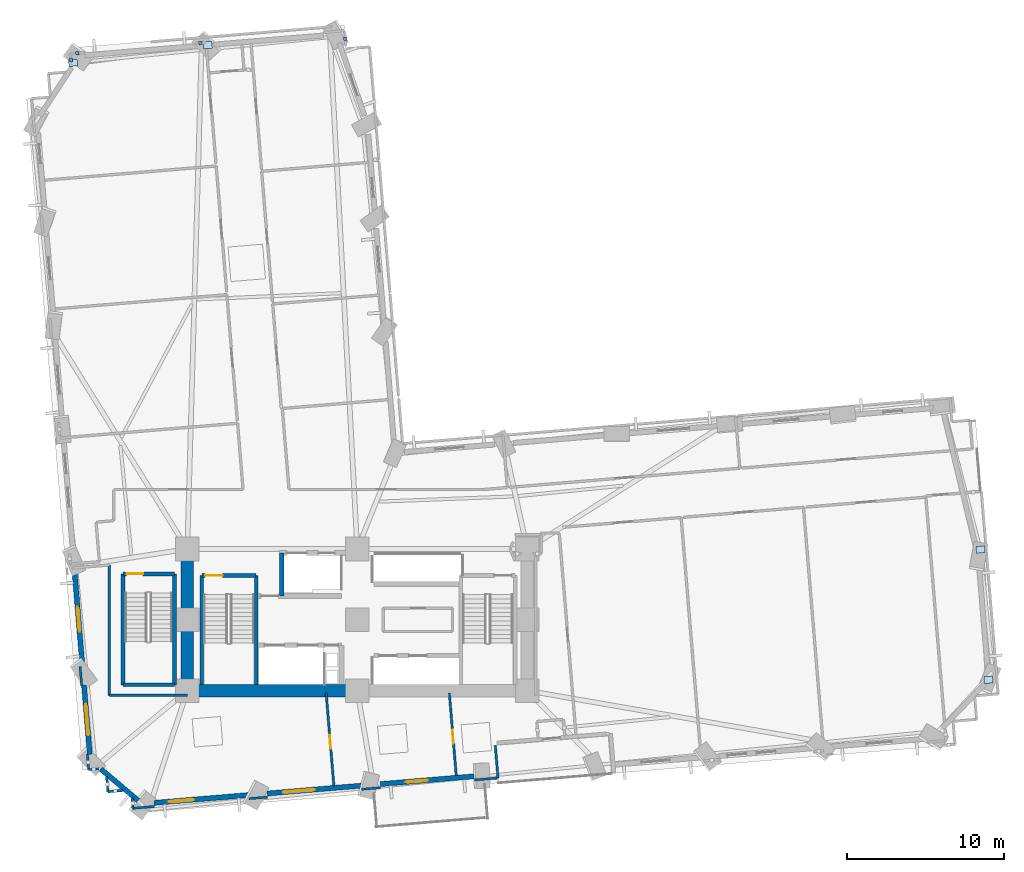
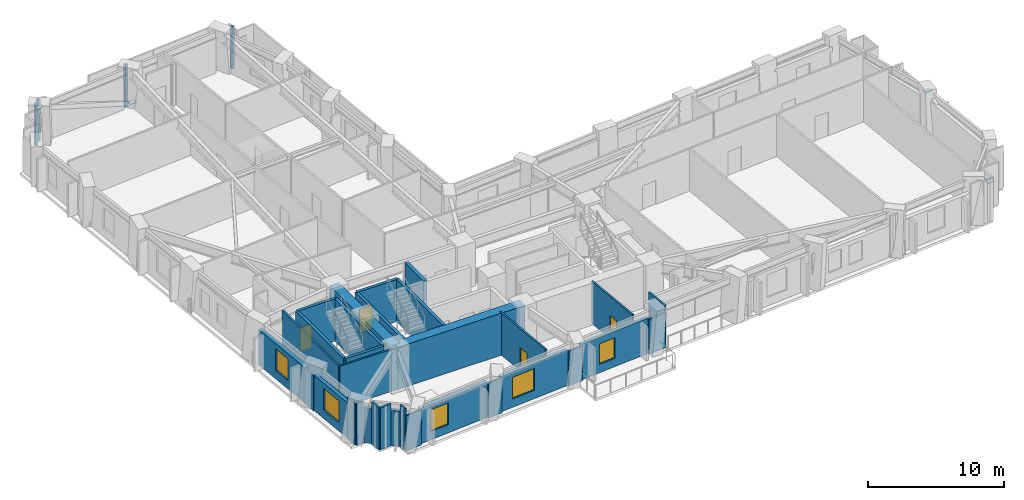
# One storey, part 6 of 14: 31 walls, 8 plates, 5 windows, 4 doors, 9 openings.
"""IFC4 building model written with IfcOpenShell, lengths in metres."""

from ifc_helpers import new_model, si_unit, direction, frame, frame_2d, origin, origin_2d, place, context, subcontext, project, spatial, rectangle, extrude, material, layer, layer_set, type_object, element, fill, save


model = new_model("IFC4")

# Units and contexts
model_context = context("Model", 3, precision=1e-05, world=origin(), true_north=direction((0.0, 1.0)))
body_context = subcontext(model_context, "Body", "Model", "MODEL_VIEW")
ifc_project = project(units=[si_unit("LENGTHUNIT", "METRE"), si_unit("AREAUNIT", "SQUARE_METRE"), si_unit("VOLUMEUNIT", "CUBIC_METRE"), si_unit("PLANEANGLEUNIT", "RADIAN"), si_unit("MASSUNIT", "GRAM", prefix="KILO")], contexts=[model_context])

# Site, building, storey
site_placement = place(None, origin())
site = spatial("IfcSite", under=ifc_project, at=site_placement, CompositionType="ELEMENT")
building_placement = place(site_placement, origin())
building = spatial("IfcBuilding", under=site, at=building_placement, Name="Gaonmaruhae Medical Tower", CompositionType="ELEMENT")
storey_placement = place(building_placement, frame((0.0, 0.0, 43.0)))
storey = spatial("IfcBuildingStorey", under=building, at=storey_placement, Name="L09", CompositionType="ELEMENT", Elevation=43.0)

# Plates
ifc_material_1 = material(Name="Steel HSA650 (650 MPa)", Category="steel")
ifc_layer_1 = layer(ifc_material_1, 0.028076171875)
ifc_layer_set_1 = layer_set([ifc_layer_1], Name="Steel HSA650 (650 MPa)")
plate_type_1 = type_object("IfcPlateType", Name="GP-02 Tube Brace End Cap Gusset Plate", PredefinedType="USERDEFINED", material=ifc_layer_set_1)
for number, where, z_axis, x_axis, name in (
    (1, (64.908447265625, 8.486572265625, 0.23583984375), (0.0, 0.0, 1.0), (0.996565502498, 0.082808207512, 0.0), "L09 Gusset Cap Plate PLT-L09-PBR-E01A"),
    (2, (64.39990234375, 16.769287109375, 3.51611328125), (0.0, 0.0, 1.0), (0.995055569961, 0.099319749744, 0.0), "L09 Gusset Cap Plate PLT-L09-PBR-E01B"),
    (3, (15.29833984375, 48.81689453125, 0.23583984375), (0.0, 0.0, 1.0), (0.996565502498, 0.082808207512, 0.0), "L09 Gusset Cap Plate PLT-L09-PBR-N02A"),
    (4, (6.7431640625, 47.69580078125, 3.51611328125), (0.0, 0.0, 1.0), (0.995055569961, 0.099319749744, 0.0), "L09 Gusset Cap Plate PLT-L09-PBR-N02B"),
):
    element("IfcPlate", number, at=place(storey_placement, frame(where, z_axis=z_axis, x_axis=x_axis)), inside=storey, type_object=plate_type_1, Name=name, ObjectType="GUSSET_PLATE", PredefinedType="USERDEFINED", context=body_context, shape_type="SweptSolid", body=[
        extrude(rectangle(XDim=0.56005859375, YDim=0.43994140625, at=origin_2d()), origin(), (0.0, 0.0, 1.0), 0.028076171875),
    ])
ifc_material_2 = material(Name="Anodised aluminium 6063-T6", Category="aluminium")
ifc_layer_2 = layer(ifc_material_2, 0.011962890625)
ifc_layer_set_2 = layer_set([ifc_layer_2], Name="Anodised aluminium 6063-T6")
plate_type_2 = type_object("IfcPlateType", Name="PP-01 Interior Partition Corner Stiffener Plate", PredefinedType="SHEET", material=ifc_layer_set_2)
for number, where, z_axis, x_axis, name in (
    (5, (6.594970703125, 47.89208984375, 0.0), (0.0, 0.0, 1.0), (-0.083486528896, 0.996508905877, 0.0), "L09 Partition Corner Stiffener Plate PLT-L09-JGP-PW060"),
    (6, (7.01904296875, 48.300048828125, 0.0), (0.0, 0.0, 1.0), (0.996530728449, 0.083225640617, 0.0), "L09 Partition Corner Stiffener Plate PLT-L09-JGP-PW061"),
    (7, (14.8349609375, 48.948974609375, 0.0), (0.0, 0.0, 1.0), (0.996584265432, 0.082582091843, 0.0), "L09 Partition Corner Stiffener Plate PLT-L09-JGP-PW062"),
    (8, (24.044921875, 49.224609375, 0.0), (0.0, 0.0, 1.0), (0.082947353498, -0.996553930577, 0.0), "L09 Partition Corner Stiffener Plate PLT-L09-JGP-PW093"),
):
    element("IfcPlate", number, at=place(storey_placement, frame(where, z_axis=z_axis, x_axis=x_axis)), inside=storey, type_object=plate_type_2, Name=name, PredefinedType="SHEET", context=body_context, shape_type="SweptSolid", body=[
        extrude(rectangle(XDim=0.219970703125, YDim=0.219970703125, at=origin_2d()), origin(), (0.0, 0.0, 1.0), 3.780029296875),
    ])

# Walls
ifc_material_3 = material(Name="Concrete C60/75", Category="concrete")
ifc_layer_3 = layer(ifc_material_3, 0.800048828125)
ifc_layer_set_3 = layer_set([ifc_layer_3], Name="Concrete C60/75")
wall_type_1 = type_object("IfcWallType", Name="CW-800 Lower Core Shear Wall", PredefinedType="SHEAR", material=ifc_layer_set_3)
wall_1_placement = place(storey_placement, frame((14.0, 7.800048828125, 0.0), z_axis=(0.0, 0.0, 1.0), x_axis=(1.0, 0.0, 0.0)))
element("IfcWall", 9, at=wall_1_placement, inside=storey, type_object=wall_type_1, Name="L09 Core Shear Wall CSW-S1", PredefinedType="SHEAR", context=body_context, shape_type="SweptSolid", body=[
    extrude(rectangle(XDim=10.800048828125, YDim=0.800048828125, at=frame_2d((5.39990234375, 0.0))), origin(), (0.0, 0.0, 1.0), 3.780029296875),
])
wall_2_placement = place(storey_placement, frame((14.0, 16.800048828125, 0.0), z_axis=(0.0, 0.0, 1.0), x_axis=(0.0, -1.0, 0.0)))
element("IfcWall", 10, at=wall_2_placement, inside=storey, type_object=wall_type_1, Name="L09 Core Shear Wall CSW-W1", PredefinedType="SHEAR", context=body_context, shape_type="SweptSolid", body=[
    extrude(rectangle(XDim=9.0, YDim=0.800048828125, at=frame_2d((4.5, 0.0))), origin(), (0.0, 0.0, 1.0), 3.780029296875),
])

# Wall, opening, window
ifc_material_4 = material(Name="Precast concrete C45/55", Category="concrete")
ifc_layer_4 = layer(ifc_material_4, 0.320068359375)
ifc_layer_set_4 = layer_set([ifc_layer_4], Name="Precast concrete C45/55")
wall_type_2 = type_object("IfcWallType", Name="EW-320 Lower Precast Masonry-Frame Facade Wall", PredefinedType="SOLIDWALL", material=ifc_layer_set_4)
wall_3_placement = place(storey_placement, frame((17.897216796875, 1.16845703125, 0.0), z_axis=(0.0, 0.0, 1.0), x_axis=(-0.996564705704, -0.082817796061, 0.0)))
wall_3 = element("IfcWall", 11, at=wall_3_placement, inside=storey, type_object=wall_type_2, Name="L09 Precast Masonry-Frame Wall S01-S02", PredefinedType="SOLIDWALL", context=body_context, shape_type="SweptSolid", body=[
    extrude(rectangle(XDim=6.034423828125, YDim=0.320068359375, at=frame_2d((3.01708984375, 0.0))), origin(), (0.0, 0.0, 1.0), 3.1650390625),
])
opening_1_placement = place(wall_3_placement, frame((3.49169921875, 0.0, 0.75)))
opening_1 = element("IfcOpeningElement", 12, at=opening_1_placement, cuts=wall_3, Name="Opening WN-01", PredefinedType="OPENING", context=body_context, shape_type="SweptSolid", body=[
    extrude(rectangle(XDim=1.60009765625, YDim=1.949951171875, at=frame_2d((0.800048828125, 0.97509765625))), frame((0.0, 0.169921875, 0.0), z_axis=(0.0, -1.0, 0.0), x_axis=(1.0, 0.0, 0.0)), (0.0, 0.0, 1.0), 0.340087890625),
])
ifc_material_5 = material(Name="Anodised aluminium and Low-E double glazing", Category="aluminium")
window_type_1 = type_object("IfcWindowType", Name="WN-01 Ward Punched Acoustic Window 1600x1950", PartitioningType="SINGLE_PANEL", PredefinedType="WINDOW", material=ifc_material_5)
window_1_placement = place(opening_1_placement, origin())
window_1 = element("IfcWindow", 13, at=window_1_placement, inside=storey, type_object=window_type_1, Name="L09 Modular Facade Window S01", OverallHeight=1.949951171875, OverallWidth=1.60009765625, PartitioningType="SINGLE_PANEL", PredefinedType="WINDOW", context=body_context, shape_type="SweptSolid", body=[
    extrude(rectangle(XDim=1.60009765625, YDim=1.949951171875, at=frame_2d((0.800048828125, 0.97509765625))), frame((0.0, 0.030029296875, 0.0), z_axis=(0.0, -1.0, 0.0), x_axis=(1.0, 0.0, 0.0)), (0.0, 0.0, 1.0), 0.06005859375),
])
fill(opening_1, window_1)

wall_4_placement = place(storey_placement, frame((25.06103515625, 1.763916015625, 0.0), z_axis=(0.0, 0.0, 1.0), x_axis=(-0.996565913444, -0.082803261775, 0.0)))
wall_4 = element("IfcWall", 14, at=wall_4_placement, inside=storey, type_object=wall_type_2, Name="L09 Precast Masonry-Frame Wall S02-S03", PredefinedType="SOLIDWALL", context=body_context, shape_type="SweptSolid", body=[
    extrude(rectangle(XDim=6.005859375, YDim=0.320068359375, at=frame_2d((3.0029296875, 0.0))), origin(), (0.0, 0.0, 1.0), 3.1650390625),
])
opening_2_placement = place(wall_4_placement, frame((2.9755859375, 0.0, 0.75)))
opening_2 = element("IfcOpeningElement", 15, at=opening_2_placement, cuts=wall_4, Name="Opening WN-02", PredefinedType="OPENING", context=body_context, shape_type="SweptSolid", body=[
    extrude(rectangle(XDim=2.0, YDim=1.949951171875, at=frame_2d((1.0, 0.97509765625))), frame((0.0, 0.169921875, 0.0), z_axis=(0.0, -1.0, 0.0), x_axis=(1.0, 0.0, 0.0)), (0.0, 0.0, 1.0), 0.340087890625),
])
window_type_2 = type_object("IfcWindowType", Name="WN-02 Double-Bed Ward Punched Window 2000x1950", PartitioningType="SINGLE_PANEL", PredefinedType="WINDOW", material=ifc_material_5)
window_2_placement = place(opening_2_placement, origin())
window_2 = element("IfcWindow", 16, at=window_2_placement, inside=storey, type_object=window_type_2, Name="L09 Modular Facade Window S02", OverallHeight=1.949951171875, OverallWidth=2.0, PartitioningType="SINGLE_PANEL", PredefinedType="WINDOW", context=body_context, shape_type="SweptSolid", body=[
    extrude(rectangle(XDim=2.0, YDim=1.949951171875, at=frame_2d((1.0, 0.97509765625))), frame((0.0, 0.030029296875, 0.0), z_axis=(0.0, -1.0, 0.0), x_axis=(1.0, 0.0, 0.0)), (0.0, 0.0, 1.0), 0.06005859375),
])
fill(opening_2, window_2)

wall_5_placement = place(storey_placement, frame((32.230712890625, 2.359619140625, 0.0), z_axis=(0.0, 0.0, 1.0), x_axis=(-0.996564006264, -0.082826212145, 0.0)))
wall_5 = element("IfcWall", 17, at=wall_5_placement, inside=storey, type_object=wall_type_2, Name="L09 Precast Masonry-Frame Wall S03-S04", PredefinedType="SOLIDWALL", context=body_context, shape_type="SweptSolid", body=[
    extrude(rectangle(XDim=5.989501953125, YDim=0.320068359375, at=frame_2d((2.99462890625, 0.0))), origin(), (0.0, 0.0, 1.0), 3.1650390625),
])
opening_3_placement = place(wall_5_placement, frame((2.96728515625, 0.0, 0.75)))
opening_3 = element("IfcOpeningElement", 18, at=opening_3_placement, cuts=wall_5, Name="Opening WN-03", PredefinedType="OPENING", context=body_context, shape_type="SweptSolid", body=[
    extrude(rectangle(XDim=1.39990234375, YDim=1.85009765625, at=frame_2d((0.699951171875, 0.925048828125))), frame((0.0, 0.169921875, 0.0), z_axis=(0.0, -1.0, 0.0), x_axis=(1.0, 0.0, 0.0)), (0.0, 0.0, 1.0), 0.340087890625),
])
window_type_3 = type_object("IfcWindowType", Name="WN-03 Isolation Ward Punched Window 1400x1850", PartitioningType="SINGLE_PANEL", PredefinedType="WINDOW", material=ifc_material_5)
window_3_placement = place(opening_3_placement, origin())
window_3 = element("IfcWindow", 19, at=window_3_placement, inside=storey, type_object=window_type_3, Name="L09 Modular Facade Window S03", OverallHeight=1.85009765625, OverallWidth=1.39990234375, PartitioningType="SINGLE_PANEL", PredefinedType="WINDOW", context=body_context, shape_type="SweptSolid", body=[
    extrude(rectangle(XDim=1.39990234375, YDim=1.85009765625, at=frame_2d((0.699951171875, 0.925048828125))), frame((0.0, 0.030029296875, 0.0), z_axis=(0.0, -1.0, 0.0), x_axis=(1.0, 0.0, 0.0)), (0.0, 0.0, 1.0), 0.06005859375),
])
fill(opening_3, window_3)

wall_6_placement = place(storey_placement, frame((7.33984375, 9.3427734375, 0.0), z_axis=(0.0, 0.0, 1.0), x_axis=(-0.082806264978, 0.996565663908, 0.0)))
wall_6 = element("IfcWall", 20, at=wall_6_placement, inside=storey, type_object=wall_type_2, Name="L09 Precast Masonry-Frame Wall W05-W06", PredefinedType="SOLIDWALL", context=body_context, shape_type="SweptSolid", body=[
    extrude(rectangle(XDim=5.996826171875, YDim=0.320068359375, at=frame_2d((2.99853515625, 0.0))), origin(), (0.0, 0.0, 1.0), 3.1650390625),
])
opening_4_placement = place(wall_6_placement, frame((2.200439453125, 0.0, 0.75)))
opening_4 = element("IfcOpeningElement", 21, at=opening_4_placement, cuts=wall_6, Name="Opening WN-01", PredefinedType="OPENING", context=body_context, shape_type="SweptSolid", body=[
    extrude(rectangle(XDim=1.60009765625, YDim=1.949951171875, at=frame_2d((0.800048828125, 0.97509765625))), frame((0.0, 0.169921875, 0.0), z_axis=(0.0, -1.0, 0.0), x_axis=(1.0, 0.0, 0.0)), (0.0, 0.0, 1.0), 0.340087890625),
])
window_4_placement = place(opening_4_placement, origin())
window_4 = element("IfcWindow", 22, at=window_4_placement, inside=storey, type_object=window_type_1, Name="L09 Modular Facade Window W05", OverallHeight=1.949951171875, OverallWidth=1.60009765625, PartitioningType="SINGLE_PANEL", PredefinedType="WINDOW", context=body_context, shape_type="SweptSolid", body=[
    extrude(rectangle(XDim=1.60009765625, YDim=1.949951171875, at=frame_2d((0.800048828125, 0.97509765625))), frame((0.0, 0.030029296875, 0.0), z_axis=(0.0, -1.0, 0.0), x_axis=(1.0, 0.0, 0.0)), (0.0, 0.0, 1.0), 0.06005859375),
])
fill(opening_4, window_4)

wall_7_placement = place(storey_placement, frame((7.804443359375, 3.75146484375, 0.0), z_axis=(0.0, 0.0, 1.0), x_axis=(-0.082807588187, 0.99656555396, 0.0)))
wall_7 = element("IfcWall", 23, at=wall_7_placement, inside=storey, type_object=wall_type_2, Name="L09 Precast Masonry-Frame Wall W06-W07", PredefinedType="SOLIDWALL", context=body_context, shape_type="SweptSolid", body=[
    extrude(rectangle(XDim=4.41650390625, YDim=0.320068359375, at=frame_2d((2.208251953125, 0.0))), origin(), (0.0, 0.0, 1.0), 3.1650390625),
])
opening_5_placement = place(wall_7_placement, frame((1.210693359375, 0.0, 0.75)))
opening_5 = element("IfcOpeningElement", 24, at=opening_5_placement, cuts=wall_7, Name="Opening WN-02", PredefinedType="OPENING", context=body_context, shape_type="SweptSolid", body=[
    extrude(rectangle(XDim=2.0, YDim=1.949951171875, at=frame_2d((1.0, 0.97509765625))), frame((0.0, 0.169921875, 0.0), z_axis=(0.0, -1.0, 0.0), x_axis=(1.0, 0.0, 0.0)), (0.0, 0.0, 1.0), 0.340087890625),
])
window_5_placement = place(opening_5_placement, origin())
window_5 = element("IfcWindow", 25, at=window_5_placement, inside=storey, type_object=window_type_2, Name="L09 Modular Facade Window W06", OverallHeight=1.949951171875, OverallWidth=2.0, PartitioningType="SINGLE_PANEL", PredefinedType="WINDOW", context=body_context, shape_type="SweptSolid", body=[
    extrude(rectangle(XDim=2.0, YDim=1.949951171875, at=frame_2d((1.0, 0.97509765625))), frame((0.0, 0.030029296875, 0.0), z_axis=(0.0, -1.0, 0.0), x_axis=(1.0, 0.0, 0.0)), (0.0, 0.0, 1.0), 0.06005859375),
])
fill(opening_5, window_5)

# Walls
wall_8_placement = place(storey_placement, frame((10.87109375, 0.822021484375, 0.0), z_axis=(0.0, 0.0, 1.0), x_axis=(-0.763251794027, 0.646101152231, 0.0)))
element("IfcWall", 26, at=wall_8_placement, inside=storey, type_object=wall_type_2, Name="L09 Precast Masonry-Frame Wall W07-S01", PredefinedType="SOLIDWALL", context=body_context, shape_type="SweptSolid", body=[
    extrude(rectangle(XDim=3.098876953125, YDim=0.320068359375, at=frame_2d((1.54931640625, 0.0))), origin(), (0.0, 0.0, 1.0), 3.1650390625),
])
ifc_material_6 = material(Name="Gypsum board partition", Category="gypsum")
ifc_layer_5 = layer(ifc_material_6, 0.14990234375)
ifc_layer_set_5 = layer_set([ifc_layer_5], Name="Gypsum board partition")
wall_type_3 = type_object("IfcWallType", Name="PW-150 Rated Clinical Corridor Partition", PredefinedType="PARTITIONING", material=ifc_layer_set_5)
wall_9_placement = place(storey_placement, frame((9.050048828125, 15.785888671875, 0.0), z_axis=(0.0, 0.0, 1.0), x_axis=(0.0, -1.0, 0.0)))
element("IfcWall", 27, at=wall_9_placement, inside=storey, type_object=wall_type_3, Name="L09 Interior Partition L09-SUP01-5", PredefinedType="PARTITIONING", context=body_context, shape_type="SweptSolid", body=[
    extrude(rectangle(XDim=8.285888671875, YDim=0.14990234375, at=frame_2d((4.14306640625, 0.0))), origin(), (0.0, 0.0, 1.0), 3.780029296875),
])
wall_10_placement = place(storey_placement, frame((9.050048828125, 7.5, 0.0), z_axis=(0.0, 0.0, 1.0), x_axis=(1.0, 0.0, 0.0)))
element("IfcWall", 28, at=wall_10_placement, inside=storey, type_object=wall_type_3, Name="L09 Interior Partition L09-SUP01-6", PredefinedType="PARTITIONING", context=body_context, shape_type="SweptSolid", body=[
    extrude(rectangle(XDim=4.949951171875, YDim=0.14990234375, at=frame_2d((2.47509765625, 0.0))), origin(), (0.0, 0.0, 1.0), 3.780029296875),
])
wall_11_placement = place(storey_placement, frame((11.903076171875, 0.43994140625, 0.0), z_axis=(0.0, 0.0, 1.0), x_axis=(-0.996543282933, -0.08307517825, 0.0)))
element("IfcWall", 29, at=wall_11_placement, inside=storey, type_object=wall_type_3, Name="L09 Interior Partition L09-SUP01-8", PredefinedType="PARTITIONING", context=body_context, shape_type="SweptSolid", body=[
    extrude(rectangle(XDim=1.360595703125, YDim=0.14990234375, at=frame_2d((0.68017578125, 0.0))), origin(), (0.0, 0.0, 1.0), 3.1650390625),
])
wall_12_placement = place(storey_placement, frame((10.547119140625, 0.326904296875, 0.0), z_axis=(0.0, 0.0, 1.0), x_axis=(-0.083235067876, 0.996529941083, 0.0)))
element("IfcWall", 30, at=wall_12_placement, inside=storey, type_object=wall_type_3, Name="L09 Interior Partition L09-SUP01-9", PredefinedType="PARTITIONING", context=body_context, shape_type="SweptSolid", body=[
    extrude(rectangle(XDim=0.639404296875, YDim=0.14990234375, at=frame_2d((0.31982421875, 0.0))), origin(), (0.0, 0.0, 1.0), 3.780029296875),
])
wall_13_placement = place(storey_placement, frame((9.910888671875, 1.4580078125, 0.0), z_axis=(0.0, 0.0, 1.0), x_axis=(-0.996592996295, -0.082476661762, 0.0)))
element("IfcWall", 31, at=wall_13_placement, inside=storey, type_object=wall_type_3, Name="L09 Interior Partition L09-SUP01-10", PredefinedType="PARTITIONING", context=body_context, shape_type="SweptSolid", body=[
    extrude(rectangle(XDim=0.958984375, YDim=0.14990234375, at=frame_2d((0.4794921875, 0.0))), origin(), (0.0, 0.0, 1.0), 3.780029296875),
])
wall_14_placement = place(storey_placement, frame((8.955078125, 1.37890625, 0.0), z_axis=(0.0, 0.0, 1.0), x_axis=(-0.08253948, 0.996587795551, 0.0)))
element("IfcWall", 32, at=wall_14_placement, inside=storey, type_object=wall_type_3, Name="L09 Interior Partition L09-SUP01-11", PredefinedType="PARTITIONING", context=body_context, shape_type="SweptSolid", body=[
    extrude(rectangle(XDim=0.958251953125, YDim=0.14990234375, at=frame_2d((0.47900390625, 0.0))), origin(), (0.0, 0.0, 1.0), 3.780029296875),
])
wall_15_placement = place(storey_placement, frame((8.37109375, 2.8349609375, 0.0), z_axis=(0.0, 0.0, 1.0), x_axis=(-0.996561539837, -0.082855882814, 0.0)))
element("IfcWall", 33, at=wall_15_placement, inside=storey, type_object=wall_type_3, Name="L09 Interior Partition L09-SUP01-12", PredefinedType="PARTITIONING", context=body_context, shape_type="SweptSolid", body=[
    extrude(rectangle(XDim=0.639404296875, YDim=0.14990234375, at=frame_2d((0.31982421875, 0.0))), origin(), (0.0, 0.0, 1.0), 3.780029296875),
])
wall_16_placement = place(storey_placement, frame((7.73388671875, 2.781982421875, 0.0), z_axis=(0.0, 0.0, 1.0), x_axis=(-0.083129634835, 0.996538741752, 0.0)))
element("IfcWall", 34, at=wall_16_placement, inside=storey, type_object=wall_type_3, Name="L09 Interior Partition L09-SUP01-13", PredefinedType="PARTITIONING", context=body_context, shape_type="SweptSolid", body=[
    extrude(rectangle(XDim=0.96044921875, YDim=0.14990234375, at=frame_2d((0.480224609375, 0.0))), origin(), (0.0, 0.0, 1.0), 3.780029296875),
])
wall_17_placement = place(storey_placement, frame((7.2890625, 8.139892578125, 0.0), z_axis=(0.0, 0.0, 1.0), x_axis=(-0.082994727068, 0.996549986342, 0.0)))
element("IfcWall", 35, at=wall_17_placement, inside=storey, type_object=wall_type_3, Name="L09 Interior Partition L09-SUP01-14", PredefinedType="PARTITIONING", context=body_context, shape_type="SweptSolid", body=[
    extrude(rectangle(XDim=1.1943359375, YDim=0.14990234375, at=frame_2d((0.59716796875, 0.0))), origin(), (0.0, 0.0, 1.0), 3.1650390625),
])
wall_18_placement = place(storey_placement, frame((19.094970703125, 1.037109375, 0.0), z_axis=(0.0, 0.0, 1.0), x_axis=(-0.996620783437, -0.082140209527, 0.0)))
element("IfcWall", 36, at=wall_18_placement, inside=storey, type_object=wall_type_3, Name="L09 Interior Partition L09-SUP02-16", PredefinedType="PARTITIONING", context=body_context, shape_type="SweptSolid", body=[
    extrude(rectangle(XDim=1.182861328125, YDim=0.14990234375, at=frame_2d((0.59130859375, 0.0))), origin(), (0.0, 0.0, 1.0), 3.1650390625),
])

# Wall, opening, door
wall_19_placement = place(storey_placement, frame((22.823974609375, 7.64111328125, 0.0), z_axis=(0.0, 0.0, 1.0), x_axis=(0.082778701645, -0.996567953806, 0.0)))
wall_19 = element("IfcWall", 37, at=wall_19_placement, inside=storey, type_object=wall_type_3, Name="L09 Interior Partition L09-SUP02-17", PredefinedType="PARTITIONING", context=body_context, shape_type="SweptSolid", body=[
    extrude(rectangle(XDim=5.907470703125, YDim=0.14990234375, at=frame_2d((2.95361328125, 0.0))), origin(), (0.0, 0.0, 1.0), 3.780029296875),
])
opening_6_placement = place(wall_19_placement, frame((2.673828125, 0.0, 0.0)))
opening_6 = element("IfcOpeningElement", 38, at=opening_6_placement, cuts=wall_19, Name="Opening AD-01", PredefinedType="OPENING", context=body_context, shape_type="SweptSolid", body=[
    extrude(rectangle(XDim=0.860107421875, YDim=2.06005859375, at=frame_2d((0.43017578125, 1.030029296875))), frame((0.0, 0.0849609375, 0.0), z_axis=(0.0, -1.0, 0.0), x_axis=(1.0, 0.0, 0.0)), (0.0, 0.0, 1.0), 0.169921875),
])
ifc_material_7 = material(Name="Powder-coated steel access door", Category="steel")
door_type_1 = type_object("IfcDoorType", Name="AD-01 Riser & Closet Access Fire Door 860x2060", OperationType="NOTDEFINED", PredefinedType="DOOR", material=ifc_material_7)
door_1_placement = place(opening_6_placement, origin())
door_1 = element("IfcDoor", 39, at=door_1_placement, inside=storey, type_object=door_type_1, Name="L09 Clinical Biomedical Charting Office Sliding Door", OperationType="SLIDING_TO_LEFT", OverallHeight=2.06005859375, OverallWidth=0.860107421875, PredefinedType="DOOR", context=body_context, shape_type="SweptSolid", body=[
    extrude(rectangle(XDim=0.860107421875, YDim=2.06005859375, at=frame_2d((0.43017578125, 1.030029296875))), frame((0.0, 0.02490234375, 0.0), z_axis=(0.0, -1.0, 0.0), x_axis=(1.0, 0.0, 0.0)), (0.0, 0.0, 1.0), 0.050048828125),
])
fill(opening_6, door_1)

# Wall
wall_20_placement = place(storey_placement, frame((26.281005859375, 1.635009765625, 0.0), z_axis=(0.0, 0.0, 1.0), x_axis=(-0.996544360926, -0.083062245981, 0.0)))
element("IfcWall", 40, at=wall_20_placement, inside=storey, type_object=wall_type_3, Name="L09 Interior Partition L09-SUP03-18", PredefinedType="PARTITIONING", context=body_context, shape_type="SweptSolid", body=[
    extrude(rectangle(XDim=1.205078125, YDim=0.14990234375, at=frame_2d((0.6025390625, 0.0))), origin(), (0.0, 0.0, 1.0), 3.1650390625),
])

# Wall, opening, door
wall_21_placement = place(storey_placement, frame((30.64990234375, 7.64111328125, 0.0), z_axis=(0.0, 0.0, 1.0), x_axis=(0.083091579505, -0.996541915534, 0.0)))
wall_21 = element("IfcWall", 41, at=wall_21_placement, inside=storey, type_object=wall_type_3, Name="L09 Interior Partition L09-SUP03-19", PredefinedType="PARTITIONING", context=body_context, shape_type="SweptSolid", body=[
    extrude(rectangle(XDim=5.25927734375, YDim=0.14990234375, at=frame_2d((2.629638671875, 0.0))), origin(), (0.0, 0.0, 1.0), 3.780029296875),
])
opening_7_placement = place(wall_21_placement, frame((2.349853515625, 0.0, 0.0)))
opening_7 = element("IfcOpeningElement", 42, at=opening_7_placement, cuts=wall_21, Name="Opening AD-01", PredefinedType="OPENING", context=body_context, shape_type="SweptSolid", body=[
    extrude(rectangle(XDim=0.860107421875, YDim=2.06005859375, at=frame_2d((0.43017578125, 1.030029296875))), frame((0.0, 0.0849609375, 0.0), z_axis=(0.0, -1.0, 0.0), x_axis=(1.0, 0.0, 0.0)), (0.0, 0.0, 1.0), 0.169921875),
])
door_2_placement = place(opening_7_placement, origin())
door_2 = element("IfcDoor", 43, at=door_2_placement, inside=storey, type_object=door_type_1, Name="L09 Clinical Biomedical Charting Office Sliding Door", OperationType="SLIDING_TO_LEFT", OverallHeight=2.06005859375, OverallWidth=0.860107421875, PredefinedType="DOOR", context=body_context, shape_type="SweptSolid", body=[
    extrude(rectangle(XDim=0.860107421875, YDim=2.06005859375, at=frame_2d((0.43017578125, 1.030029296875))), frame((0.0, 0.02490234375, 0.0), z_axis=(0.0, -1.0, 0.0), x_axis=(1.0, 0.0, 0.0)), (0.0, 0.0, 1.0), 0.050048828125),
])
fill(opening_7, door_2)

# Walls
wall_22_placement = place(storey_placement, frame((33.570068359375, 4.326904296875, 0.0), z_axis=(0.0, 0.0, 1.0), x_axis=(0.082627800683, -0.996580476707, 0.0)))
element("IfcWall", 44, at=wall_22_placement, inside=storey, type_object=wall_type_3, Name="L09 Interior Partition L09-SUP04-32", PredefinedType="PARTITIONING", context=body_context, shape_type="SweptSolid", body=[
    extrude(rectangle(XDim=2.080078125, YDim=0.14990234375, at=frame_2d((1.0400390625, 0.0))), origin(), (0.0, 0.0, 1.0), 3.780029296875),
])
wall_23_placement = place(storey_placement, frame((33.69189453125, 2.25, 0.0), z_axis=(0.0, 0.0, 1.0), x_axis=(-0.996548085231, -0.083017551293, 0.0)))
element("IfcWall", 45, at=wall_23_placement, inside=storey, type_object=wall_type_3, Name="L09 Interior Partition L09-SUP04-33", PredefinedType="PARTITIONING", context=body_context, shape_type="SweptSolid", body=[
    extrude(rectangle(XDim=1.44677734375, YDim=0.14990234375, at=frame_2d((0.723388671875, 0.0))), origin(), (0.0, 0.0, 1.0), 3.14501953125),
])

# Wall, opening, door
ifc_material_8 = material(Name="Concrete C50/60", Category="concrete")
ifc_layer_6 = layer(ifc_material_8, 0.239990234375)
ifc_layer_set_6 = layer_set([ifc_layer_6], Name="Concrete C50/60")
wall_type_4 = type_object("IfcWallType", Name="SW-240 Dogleg Stair Tight Shaft Wall", PredefinedType="SOLIDWALL", material=ifc_layer_set_6)
wall_24_placement = place(storey_placement, frame((14.919921875, 15.1201171875, 0.0), z_axis=(0.0, 0.0, 1.0), x_axis=(1.0, 0.0, 0.0)))
wall_24 = element("IfcWall", 46, at=wall_24_placement, inside=storey, type_object=wall_type_4, Name="L09 ST-01 Stair Shaft Wall SHW-ST-01-N", PredefinedType="SOLIDWALL", context=body_context, shape_type="SweptSolid", body=[
    extrude(rectangle(XDim=3.4599609375, YDim=0.239990234375, at=frame_2d((1.72998046875, 0.0))), origin(), (0.0, 0.0, 1.0), 3.780029296875),
])
opening_8_placement = place(wall_24_placement, frame((0.219970703125, 0.0, 0.0)))
opening_8 = element("IfcOpeningElement", 47, at=opening_8_placement, cuts=wall_24, Name="Opening FD-01", PredefinedType="OPENING", context=body_context, shape_type="SweptSolid", body=[
    extrude(rectangle(XDim=1.10009765625, YDim=2.14990234375, at=frame_2d((0.550048828125, 1.074951171875))), frame((0.0, 0.1298828125, 0.0), z_axis=(0.0, -1.0, 0.0), x_axis=(1.0, 0.0, 0.0)), (0.0, 0.0, 1.0), 0.260009765625),
])
ifc_material_9 = material(Name="Powder-coated steel fire door", Category="steel")
door_type_2 = type_object("IfcDoorType", Name="FD-01 Escape Stair Protected Fire Door 1100x2150", OperationType="NOTDEFINED", PredefinedType="DOOR", material=ifc_material_9)
door_3_placement = place(opening_8_placement, origin())
door_3 = element("IfcDoor", 48, at=door_3_placement, inside=storey, type_object=door_type_2, Name="L09 ST-01 Protected Escape Stair Door", OperationType="SINGLE_SWING_RIGHT", OverallHeight=2.14990234375, OverallWidth=1.10009765625, PredefinedType="DOOR", context=body_context, shape_type="SweptSolid", body=[
    extrude(rectangle(XDim=1.10009765625, YDim=2.14990234375, at=frame_2d((0.550048828125, 1.074951171875))), frame((0.0, 0.02490234375, 0.0), z_axis=(0.0, -1.0, 0.0), x_axis=(1.0, 0.0, 0.0)), (0.0, 0.0, 1.0), 0.050048828125),
])
fill(opening_8, door_3)

# Walls
for number, where, z_axis, x_axis, name in (
    (49, (18.3798828125, 15.1201171875, 0.0), (0.0, 0.0, 1.0), (0.0, -1.0, 0.0), "L09 ST-01 Stair Shaft Wall SHW-ST-01-E"),
    (50, (14.919921875, 8.199951171875, 0.0), (0.0, 0.0, 1.0), (0.0, 1.0, 0.0), "L09 ST-01 Stair Shaft Wall SHW-ST-01-W"),
):
    element("IfcWall", number, at=place(storey_placement, frame(where, z_axis=z_axis, x_axis=x_axis)), inside=storey, type_object=wall_type_4, Name=name, PredefinedType="SOLIDWALL", context=body_context, shape_type="SweptSolid", body=[
        extrude(rectangle(XDim=6.920166015625, YDim=0.239990234375, at=frame_2d((3.4599609375, 0.0))), origin(), (0.0, 0.0, 1.0), 3.780029296875),
    ])

# Wall, opening, door
wall_25_placement = place(storey_placement, frame((9.919921875, 15.219970703125, 0.0), z_axis=(0.0, 0.0, 1.0), x_axis=(1.0, 0.0, 0.0)))
wall_25 = element("IfcWall", 51, at=wall_25_placement, inside=storey, type_object=wall_type_4, Name="L09 ST-03 Stair Shaft Wall SHW-ST-03-N", PredefinedType="SOLIDWALL", context=body_context, shape_type="SweptSolid", body=[
    extrude(rectangle(XDim=3.260009765625, YDim=0.239990234375, at=frame_2d((1.6298828125, 0.0))), origin(), (0.0, 0.0, 1.0), 3.780029296875),
])
opening_9_placement = place(wall_25_placement, frame((0.219970703125, 0.0, 0.0)))
opening_9 = element("IfcOpeningElement", 52, at=opening_9_placement, cuts=wall_25, Name="Opening FD-02", PredefinedType="OPENING", context=body_context, shape_type="SweptSolid", body=[
    extrude(rectangle(XDim=1.050048828125, YDim=2.14990234375, at=frame_2d((0.52490234375, 1.074951171875))), frame((0.0, 0.1298828125, 0.0), z_axis=(0.0, -1.0, 0.0), x_axis=(1.0, 0.0, 0.0)), (0.0, 0.0, 1.0), 0.260009765625),
])
door_type_3 = type_object("IfcDoorType", Name="FD-02 Secondary Stair Fire Door 1050x2150", OperationType="NOTDEFINED", PredefinedType="DOOR", material=ifc_material_9)
door_4_placement = place(opening_9_placement, origin())
door_4 = element("IfcDoor", 53, at=door_4_placement, inside=storey, type_object=door_type_3, Name="L09 ST-03 Protected Escape Stair Door", OperationType="SINGLE_SWING_RIGHT", OverallHeight=2.14990234375, OverallWidth=1.050048828125, PredefinedType="DOOR", context=body_context, shape_type="SweptSolid", body=[
    extrude(rectangle(XDim=1.050048828125, YDim=2.14990234375, at=frame_2d((0.52490234375, 1.074951171875))), frame((0.0, 0.02490234375, 0.0), z_axis=(0.0, -1.0, 0.0), x_axis=(1.0, 0.0, 0.0)), (0.0, 0.0, 1.0), 0.050048828125),
])
fill(opening_9, door_4)

# Walls
wall_26_placement = place(storey_placement, frame((13.179931640625, 15.219970703125, 0.0), z_axis=(0.0, 0.0, 1.0), x_axis=(0.0, -1.0, 0.0)))
element("IfcWall", 54, at=wall_26_placement, inside=storey, type_object=wall_type_4, Name="L09 ST-03 Stair Shaft Wall SHW-ST-03-E", PredefinedType="SOLIDWALL", context=body_context, shape_type="SweptSolid", body=[
    extrude(rectangle(XDim=7.050048828125, YDim=0.239990234375, at=frame_2d((3.52490234375, 0.0))), origin(), (0.0, 0.0, 1.0), 3.780029296875),
])
wall_27_placement = place(storey_placement, frame((13.179931640625, 8.169921875, 0.0), z_axis=(0.0, 0.0, 1.0), x_axis=(-1.0, 0.0, 0.0)))
element("IfcWall", 55, at=wall_27_placement, inside=storey, type_object=wall_type_4, Name="L09 ST-03 Stair Shaft Wall SHW-ST-03-S", PredefinedType="SOLIDWALL", context=body_context, shape_type="SweptSolid", body=[
    extrude(rectangle(XDim=3.260009765625, YDim=0.239990234375, at=frame_2d((1.6298828125, 0.0))), origin(), (0.0, 0.0, 1.0), 3.780029296875),
])
wall_28_placement = place(storey_placement, frame((9.919921875, 8.169921875, 0.0), z_axis=(0.0, 0.0, 1.0), x_axis=(0.0, 1.0, 0.0)))
element("IfcWall", 56, at=wall_28_placement, inside=storey, type_object=wall_type_4, Name="L09 ST-03 Stair Shaft Wall SHW-ST-03-W", PredefinedType="SOLIDWALL", context=body_context, shape_type="SweptSolid", body=[
    extrude(rectangle(XDim=7.050048828125, YDim=0.239990234375, at=frame_2d((3.52490234375, 0.0))), origin(), (0.0, 0.0, 1.0), 3.780029296875),
])
ifc_layer_7 = layer(ifc_material_8, 0.300048828125)
ifc_layer_set_7 = layer_set([ifc_layer_7], Name="Concrete C50/60")
wall_type_5 = type_object("IfcWallType", Name="SW-300 Stair & Lift Hoistway Shaft Wall", PredefinedType="SOLIDWALL", material=ifc_layer_set_7)
wall_29_placement = place(storey_placement, frame((20.0, 13.820068359375, 0.0), z_axis=(0.0, 0.0, 1.0), x_axis=(0.0, 1.0, 0.0)))
element("IfcWall", 57, at=wall_29_placement, inside=storey, type_object=wall_type_5, Name="L09 Shaft Enclosure Wall SHW-BDW", PredefinedType="SOLIDWALL", context=body_context, shape_type="SweptSolid", body=[
    extrude(rectangle(XDim=2.72998046875, YDim=0.300048828125, at=frame_2d((1.364990234375, 0.0))), origin(), (0.0, 0.0, 1.0), 3.780029296875),
])

save(model, "model.ifc")
